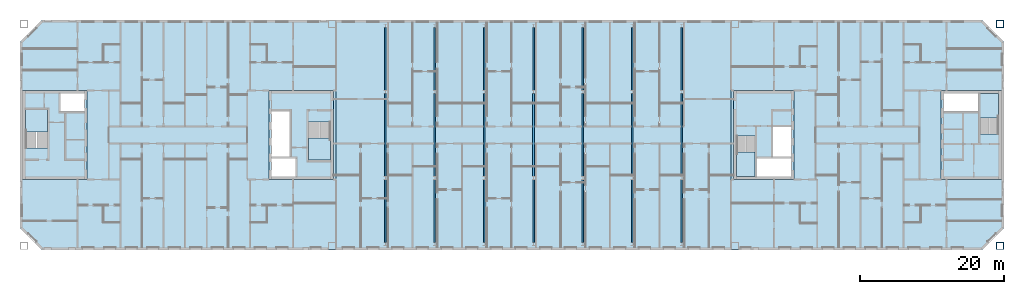
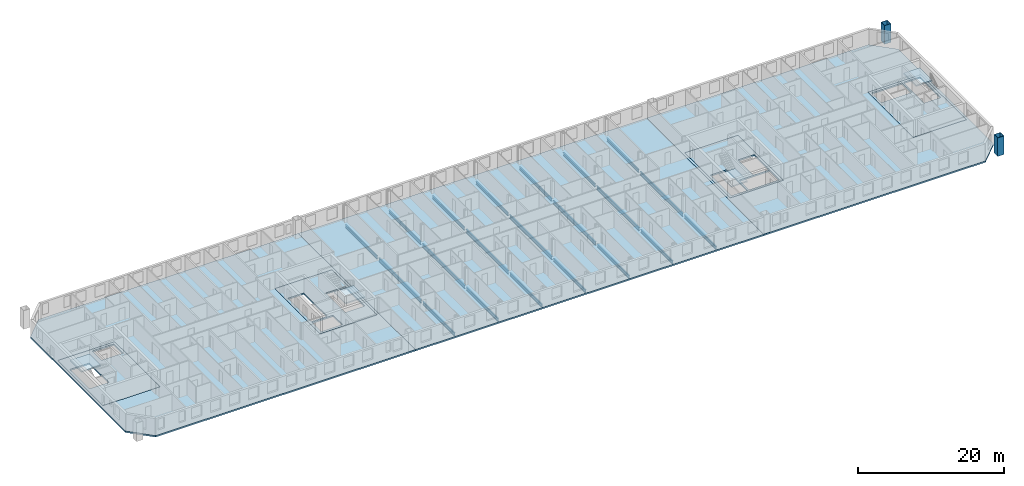
# One storey, part 3 of 19: 21 beams, 11 slabs, 2 columns, 4 elements without a shape of their own.
"""IFC4 building model written with IfcOpenShell, lengths in metres."""

from ifc_helpers import new_model, si_unit, direction, frame, origin, origin_2d, place, context, subcontext, project, spatial, polyline, hollow_rectangle, i_section, outline, extrude, material, layer, layer_set, material_profile, profile_set, type_object, element, aggregate, save


model = new_model("IFC4")

# Units and contexts
model_context = context("Model", 3, precision=1e-05, world=origin(), true_north=direction((0.0, 1.0)))
body_context = subcontext(model_context, "Body", "Model", "MODEL_VIEW")
ifc_project = project(units=[si_unit("LENGTHUNIT", "METRE"), si_unit("AREAUNIT", "SQUARE_METRE"), si_unit("VOLUMEUNIT", "CUBIC_METRE"), si_unit("PLANEANGLEUNIT", "RADIAN"), si_unit("MASSUNIT", "GRAM", prefix="KILO")], contexts=[model_context])

# Site, building, storey
site_placement = place(None, origin())
site = spatial("IfcSite", under=ifc_project, at=site_placement, CompositionType="ELEMENT")
building_placement = place(site_placement, origin())
building = spatial("IfcBuilding", under=site, at=building_placement, Name="Tuart Gate Housing", CompositionType="ELEMENT")
storey_placement = place(building_placement, frame((0.0, 0.0, 209.0)))
storey = spatial("IfcBuildingStorey", under=building, at=storey_placement, Name="L59", CompositionType="ELEMENT", Elevation=209.0)

# Columns
ifc_material_1 = material(Name="Steel Grade 350", Category="steel")
ifc_material_profile_1 = material_profile(ifc_material_1, hollow_rectangle(XDim=1.0, YDim=1.0, WallThickness=0.054931640625, at=origin_2d()), Name="BOX 1000x1000x55")
ifc_profile_set_1 = profile_set([ifc_material_profile_1], Name="Steel Grade 350")
column_type = type_object("IfcColumnType", Name="Mega column BOX 1000x1000x55", PredefinedType="COLUMN", material=ifc_profile_set_1)
for number, where, z_axis, x_axis, name in (
    (1, (168.449951171875, 54.550048828125, 0.0), (0.0, 0.0, 1.0), (1.0, 0.0, 0.0), "Mega column B south-east L59"),
    (2, (168.449951171875, 85.449951171875, 0.0), (0.0, 0.0, 1.0), (1.0, 0.0, 0.0), "Mega column B north-east L59"),
):
    element("IfcColumn", number, at=place(storey_placement, frame(where, z_axis=z_axis, x_axis=x_axis)), inside=storey, type_object=column_type, Name=name, PredefinedType="COLUMN", context=body_context, shape_type="SweptSolid", body=[
        extrude(hollow_rectangle(XDim=1.0, YDim=1.0, WallThickness=0.054931640625, at=origin_2d()), origin(), (0.0, 0.0, 1.0), 3.10009765625),
    ])

# Beams
ifc_material_2 = material(Name="Steel Grade 350", Category="steel")
ifc_material_profile_2 = material_profile(ifc_material_2, i_section(OverallWidth=0.208984375, OverallDepth=0.532958984375, WebThickness=0.01025390625, FlangeThickness=0.015625, at=origin_2d()), Name="530UB92.4")
ifc_profile_set_2 = profile_set([ifc_material_profile_2], Name="Steel Grade 350")
beam_type_1 = type_object("IfcBeamType", Name="Floor beam 530 UB92.4", PredefinedType="BEAM", material=ifc_profile_set_2)
for number, where, z_axis, x_axis, name in (
    (3, (82.875, 55.014892578125, -0.51611328125), (0.0, 1.0, 0.0), (-1.0, 0.0, 0.0), "Block floor beam L59 bay 1 position 1"),
    (4, (82.875, 76.215087890625, -0.51611328125), (0.0, 1.0, 0.0), (-1.0, 0.0, 0.0), "Block floor beam L59 bay 1 position 3"),
    (5, (89.75, 55.014892578125, -0.51611328125), (0.0, 1.0, 0.0), (-1.0, 0.0, 0.0), "Block floor beam L59 bay 2 position 1"),
    (6, (89.75, 76.215087890625, -0.51611328125), (0.0, 1.0, 0.0), (-1.0, 0.0, 0.0), "Block floor beam L59 bay 2 position 3"),
    (7, (96.625, 55.014892578125, -0.51611328125), (0.0, 1.0, 0.0), (-1.0, 0.0, 0.0), "Block floor beam L59 bay 3 position 1"),
    (8, (96.625, 76.215087890625, -0.51611328125), (0.0, 1.0, 0.0), (-1.0, 0.0, 0.0), "Block floor beam L59 bay 3 position 3"),
    (9, (103.5, 55.014892578125, -0.51611328125), (0.0, 1.0, 0.0), (-1.0, 0.0, 0.0), "Block floor beam L59 bay 4 position 1"),
    (10, (103.5, 76.215087890625, -0.51611328125), (0.0, 1.0, 0.0), (-1.0, 0.0, 0.0), "Block floor beam L59 bay 4 position 3"),
    (11, (110.375, 55.014892578125, -0.51611328125), (0.0, 1.0, 0.0), (-1.0, 0.0, 0.0), "Block floor beam L59 bay 5 position 1"),
    (12, (110.375, 76.215087890625, -0.51611328125), (0.0, 1.0, 0.0), (-1.0, 0.0, 0.0), "Block floor beam L59 bay 5 position 3"),
    (13, (117.25, 55.014892578125, -0.51611328125), (0.0, 1.0, 0.0), (-1.0, 0.0, 0.0), "Block floor beam L59 bay 6 position 1"),
    (14, (117.25, 76.215087890625, -0.51611328125), (0.0, 1.0, 0.0), (-1.0, 0.0, 0.0), "Block floor beam L59 bay 6 position 3"),
    (15, (124.125, 55.014892578125, -0.51611328125), (0.0, 1.0, 0.0), (-1.0, 0.0, 0.0), "Block floor beam L59 bay 7 position 1"),
    (16, (124.125, 76.215087890625, -0.51611328125), (0.0, 1.0, 0.0), (-1.0, 0.0, 0.0), "Block floor beam L59 bay 7 position 3"),
):
    element("IfcBeam", number, at=place(storey_placement, frame(where, z_axis=z_axis, x_axis=x_axis)), inside=storey, type_object=beam_type_1, Name=name, PredefinedType="BEAM", context=body_context, shape_type="SweptSolid", body=[
        extrude(i_section(OverallWidth=0.208984375, OverallDepth=0.532958984375, WebThickness=0.01025390625, FlangeThickness=0.015625, at=origin_2d()), origin(), (0.0, 0.0, 1.0), 8.77001953125),
    ])
ifc_material_3 = material(Name="Steel Grade 350", Category="steel")
ifc_material_profile_3 = material_profile(ifc_material_3, i_section(OverallWidth=0.22900390625, OverallDepth=0.612060546875, WebThickness=0.011962890625, FlangeThickness=0.01953125, at=origin_2d()), Name="610UB125")
ifc_profile_set_3 = profile_set([ifc_material_profile_3], Name="Steel Grade 350")
beam_type_2 = type_object("IfcBeamType", Name="Floor beam 610 UB125", PredefinedType="BEAM", material=ifc_profile_set_3)
for number, where, z_axis, x_axis, name in (
    (17, (82.875, 64.215087890625, -0.555908203125), (0.0, 1.0, 0.0), (-1.0, 0.0, 0.0), "Block floor beam L59 bay 1 position 2"),
    (18, (89.75, 64.215087890625, -0.555908203125), (0.0, 1.0, 0.0), (-1.0, 0.0, 0.0), "Block floor beam L59 bay 2 position 2"),
    (19, (96.625, 64.215087890625, -0.555908203125), (0.0, 1.0, 0.0), (-1.0, 0.0, 0.0), "Block floor beam L59 bay 3 position 2"),
    (20, (103.5, 64.215087890625, -0.555908203125), (0.0, 1.0, 0.0), (-1.0, 0.0, 0.0), "Block floor beam L59 bay 4 position 2"),
    (21, (110.375, 64.215087890625, -0.555908203125), (0.0, 1.0, 0.0), (-1.0, 0.0, 0.0), "Block floor beam L59 bay 5 position 2"),
    (22, (117.25, 64.215087890625, -0.555908203125), (0.0, 1.0, 0.0), (-1.0, 0.0, 0.0), "Block floor beam L59 bay 6 position 2"),
    (23, (124.125, 64.215087890625, -0.555908203125), (0.0, 1.0, 0.0), (-1.0, 0.0, 0.0), "Block floor beam L59 bay 7 position 2"),
):
    element("IfcBeam", number, at=place(storey_placement, frame(where, z_axis=z_axis, x_axis=x_axis)), inside=storey, type_object=beam_type_2, Name=name, PredefinedType="BEAM", context=body_context, shape_type="SweptSolid", body=[
        extrude(i_section(OverallWidth=0.22900390625, OverallDepth=0.612060546875, WebThickness=0.011962890625, FlangeThickness=0.01953125, at=origin_2d()), origin(), (0.0, 0.0, 1.0), 11.56982421875),
    ])

# Slabs
ifc_material_4 = material(Name="Concrete C40", Category="concrete")
ifc_layer_1 = layer(ifc_material_4, 0.25)
ifc_layer_set_1 = layer_set([ifc_layer_1], Name="Core floor slab 250")
slab_type_1 = type_object("IfcSlabType", Name="Core floor slab 250", PredefinedType="FLOOR", material=ifc_layer_set_1)
slab_1_placement = place(storey_placement, frame((0.0, 0.0, -0.25)))
element("IfcSlab", 24, at=slab_1_placement, inside=storey, type_object=slab_type_1, Name="Core floor AG", PredefinedType="FLOOR", context=body_context, shape_type="SweptSolid", body=[
    extrude(outline(polyline([(66.639892578125, 63.800048828125), (75.639892578125, 63.800048828125), (75.639892578125, 76.199951171875), (66.639892578125, 76.199951171875), (66.639892578125, 63.800048828125)]), holes=[polyline([(67.0400390625, 64.199951171875), (70.385009765625, 64.199951171875), (70.385009765625, 66.72509765625), (67.0400390625, 66.72509765625), (67.0400390625, 64.199951171875)]), polyline([(67.0400390625, 66.97509765625), (69.56494140625, 66.97509765625), (69.56494140625, 73.324951171875), (67.0400390625, 73.324951171875), (67.0400390625, 66.97509765625)]), polyline([(72.1650390625, 66.47509765625), (75.239990234375, 66.47509765625), (75.239990234375, 71.804931640625), (72.1650390625, 71.804931640625), (72.1650390625, 66.47509765625)])]), origin(), (0.0, 0.0, 1.0), 0.25),
])
slab_2_placement = place(storey_placement, frame((0.0, 0.0, -0.25)))
element("IfcSlab", 25, at=slab_2_placement, inside=storey, type_object=slab_type_1, Name="Core floor AK", PredefinedType="FLOOR", context=body_context, shape_type="SweptSolid", body=[
    extrude(outline(polyline([(32.360107421875, 63.800048828125), (41.360107421875, 63.800048828125), (41.360107421875, 76.199951171875), (32.360107421875, 76.199951171875), (32.360107421875, 63.800048828125)]), holes=[polyline([(40.9599609375, 75.800048828125), (37.614990234375, 75.800048828125), (37.614990234375, 73.27490234375), (40.9599609375, 73.27490234375), (40.9599609375, 75.800048828125)]), polyline([(35.8349609375, 73.52490234375), (32.760009765625, 73.52490234375), (32.760009765625, 68.195068359375), (35.8349609375, 68.195068359375), (35.8349609375, 73.52490234375)])]), origin(), (0.0, 0.0, 1.0), 0.25),
])
slab_3_placement = place(storey_placement, frame((0.0, 0.0, -0.25)))
element("IfcSlab", 26, at=slab_3_placement, inside=storey, type_object=slab_type_1, Name="Core floor BG", PredefinedType="FLOOR", context=body_context, shape_type="SweptSolid", body=[
    extrude(outline(polyline([(131.360107421875, 63.800048828125), (139.760009765625, 63.800048828125), (139.760009765625, 76.199951171875), (131.360107421875, 76.199951171875), (131.360107421875, 63.800048828125)]), holes=[polyline([(139.360107421875, 66.85009765625), (134.5849609375, 66.85009765625), (134.5849609375, 64.199951171875), (139.360107421875, 64.199951171875), (139.360107421875, 66.85009765625)]), polyline([(139.360107421875, 71.125), (136.8349609375, 71.125), (136.8349609375, 66.97509765625), (139.360107421875, 66.97509765625), (139.360107421875, 71.125)]), polyline([(134.3349609375, 69.85498046875), (131.760009765625, 69.85498046875), (131.760009765625, 64.199951171875), (134.3349609375, 64.199951171875), (134.3349609375, 69.85498046875)])]), origin(), (0.0, 0.0, 1.0), 0.25),
])
slab_4_placement = place(storey_placement, frame((0.0, 0.0, -0.25)))
element("IfcSlab", 27, at=slab_4_placement, inside=storey, type_object=slab_type_1, Name="Core floor BK", PredefinedType="FLOOR", context=body_context, shape_type="SweptSolid", body=[
    extrude(outline(polyline([(160.239990234375, 63.800048828125), (168.639892578125, 63.800048828125), (168.639892578125, 76.199951171875), (160.239990234375, 76.199951171875), (160.239990234375, 63.800048828125)]), holes=[polyline([(160.639892578125, 73.14990234375), (165.4150390625, 73.14990234375), (165.4150390625, 75.800048828125), (160.639892578125, 75.800048828125), (160.639892578125, 73.14990234375)]), polyline([(165.6650390625, 70.14501953125), (168.239990234375, 70.14501953125), (168.239990234375, 75.800048828125), (165.6650390625, 75.800048828125), (165.6650390625, 70.14501953125)])]), origin(), (0.0, 0.0, 1.0), 0.25),
])
ifc_material_5 = material(Name="Concrete C40", Category="concrete")
ifc_layer_2 = layer(ifc_material_5, 0.25)
ifc_layer_set_2 = layer_set([ifc_layer_2], Name="Flat plate 250")
slab_type_2 = type_object("IfcSlabType", Name="Flat plate 250", PredefinedType="FLOOR", material=ifc_layer_set_2)
slab_5_placement = place(storey_placement, frame((0.0, 0.0, -0.25)))
element("IfcSlab", 28, at=slab_5_placement, inside=storey, type_object=slab_type_2, Name="Floor slab A L59", PredefinedType="FLOOR", context=body_context, shape_type="SweptSolid", body=[
    extrude(outline(polyline([(35.0, 86.0), (32.0, 83.0), (32.0, 57.0), (35.0, 54.0), (76.0, 54.0), (76.0, 86.0), (35.0, 86.0)]), holes=[polyline([(66.639892578125, 76.199951171875), (75.639892578125, 76.199951171875), (75.639892578125, 63.800048828125), (66.639892578125, 63.800048828125), (66.639892578125, 76.199951171875)]), polyline([(41.360107421875, 76.199951171875), (41.360107421875, 63.800048828125), (32.360107421875, 63.800048828125), (32.360107421875, 76.199951171875), (41.360107421875, 76.199951171875)])]), origin(), (0.0, 0.0, 1.0), 0.25),
])
slab_6_placement = place(storey_placement, frame((0.0, 0.0, -0.25)))
element("IfcSlab", 29, at=slab_6_placement, inside=storey, type_object=slab_type_2, Name="Floor slab B L59", PredefinedType="FLOOR", context=body_context, shape_type="SweptSolid", body=[
    extrude(outline(polyline([(166.0, 86.0), (131.0, 86.0), (131.0, 54.0), (166.0, 54.0), (169.0, 57.0), (169.0, 83.0), (166.0, 86.0)]), holes=[polyline([(131.360107421875, 76.199951171875), (139.760009765625, 76.199951171875), (139.760009765625, 63.800048828125), (131.360107421875, 63.800048828125), (131.360107421875, 76.199951171875)]), polyline([(168.639892578125, 76.199951171875), (168.639892578125, 63.800048828125), (160.239990234375, 63.800048828125), (160.239990234375, 76.199951171875), (168.639892578125, 76.199951171875)])]), origin(), (0.0, 0.0, 1.0), 0.25),
])
slab_7_placement = place(storey_placement, frame((0.0, 0.0, -0.25)))
element("IfcSlab", 30, at=slab_7_placement, inside=storey, type_object=slab_type_2, Name="Link floor slab L59", PredefinedType="FLOOR", context=body_context, shape_type="SweptSolid", body=[
    extrude(outline(polyline([(76.0, 54.0), (131.0, 54.0), (131.0, 86.0), (76.0, 86.0), (76.0, 54.0)])), origin(), (0.0, 0.0, 1.0), 0.25),
])

# Stair, slab
ifc_material_6 = material(Name="Concrete C40", Category="concrete")
stair_type_1 = type_object("IfcStairType", Name="Core stair 1500", PredefinedType="HALF_TURN_STAIR", material=ifc_material_6)
stair_1_placement = place(storey_placement, origin())
stair_1 = element("IfcStair", 31, at=stair_1_placement, inside=storey, type_object=stair_type_1, Name="Stair SA1", PredefinedType="HALF_TURN_STAIR")
ifc_material_7 = material(Name="Concrete C40", Category="concrete")
ifc_layer_3 = layer(ifc_material_7, 0.199951171875)
ifc_layer_set_3 = layer_set([ifc_layer_3], Name="Stair landing 200")
slab_type_3 = type_object("IfcSlabType", Name="Stair landing 200", PredefinedType="LANDING", material=ifc_layer_set_3)
slab_8_placement = place(storey_placement, frame((0.0, 0.0, 1.35009765625)))
slab_8 = element("IfcSlab", 32, at=slab_8_placement, type_object=slab_type_3, Name="SA1 landing 1", PredefinedType="LANDING", context=body_context, shape_type="SweptSolid", body=[
    extrude(outline(polyline([(72.1650390625, 66.47509765625), (75.239990234375, 66.47509765625), (75.239990234375, 69.5849609375), (72.1650390625, 69.5849609375), (72.1650390625, 66.47509765625)])), origin(), (0.0, 0.0, 1.0), 0.199951171875),
])
aggregate(stair_1, [slab_8])

stair_2_placement = place(storey_placement, origin())
stair_2 = element("IfcStair", 33, at=stair_2_placement, inside=storey, type_object=stair_type_1, Name="Stair SA2", PredefinedType="HALF_TURN_STAIR")
slab_9_placement = place(storey_placement, frame((0.0, 0.0, 1.35009765625)))
slab_9 = element("IfcSlab", 34, at=slab_9_placement, type_object=slab_type_3, Name="SA2 landing 1", PredefinedType="LANDING", context=body_context, shape_type="SweptSolid", body=[
    extrude(outline(polyline([(35.8349609375, 73.52490234375), (32.760009765625, 73.52490234375), (32.760009765625, 70.4150390625), (35.8349609375, 70.4150390625), (35.8349609375, 73.52490234375)])), origin(), (0.0, 0.0, 1.0), 0.199951171875),
])
aggregate(stair_2, [slab_9])

ifc_material_8 = material(Name="Concrete C40", Category="concrete")
stair_type_2 = type_object("IfcStairType", Name="Core stair 1250", PredefinedType="HALF_TURN_STAIR", material=ifc_material_8)
stair_3_placement = place(storey_placement, origin())
stair_3 = element("IfcStair", 35, at=stair_3_placement, inside=storey, type_object=stair_type_2, Name="Stair SB1", PredefinedType="HALF_TURN_STAIR")
slab_10_placement = place(storey_placement, frame((0.0, 0.0, 1.35009765625)))
slab_10 = element("IfcSlab", 36, at=slab_10_placement, type_object=slab_type_3, Name="SB1 landing 1", PredefinedType="LANDING", context=body_context, shape_type="SweptSolid", body=[
    extrude(outline(polyline([(134.3349609375, 67.635009765625), (131.760009765625, 67.635009765625), (131.760009765625, 64.199951171875), (134.3349609375, 64.199951171875), (134.3349609375, 67.635009765625)])), origin(), (0.0, 0.0, 1.0), 0.199951171875),
])
aggregate(stair_3, [slab_10])

stair_4_placement = place(storey_placement, origin())
stair_4 = element("IfcStair", 37, at=stair_4_placement, inside=storey, type_object=stair_type_2, Name="Stair SB2", PredefinedType="HALF_TURN_STAIR")
slab_11_placement = place(storey_placement, frame((0.0, 0.0, 1.35009765625)))
slab_11 = element("IfcSlab", 38, at=slab_11_placement, type_object=slab_type_3, Name="SB2 landing 1", PredefinedType="LANDING", context=body_context, shape_type="SweptSolid", body=[
    extrude(outline(polyline([(165.6650390625, 72.364990234375), (168.239990234375, 72.364990234375), (168.239990234375, 75.800048828125), (165.6650390625, 75.800048828125), (165.6650390625, 72.364990234375)])), origin(), (0.0, 0.0, 1.0), 0.199951171875),
])
aggregate(stair_4, [slab_11])

save(model, "model.ifc")
